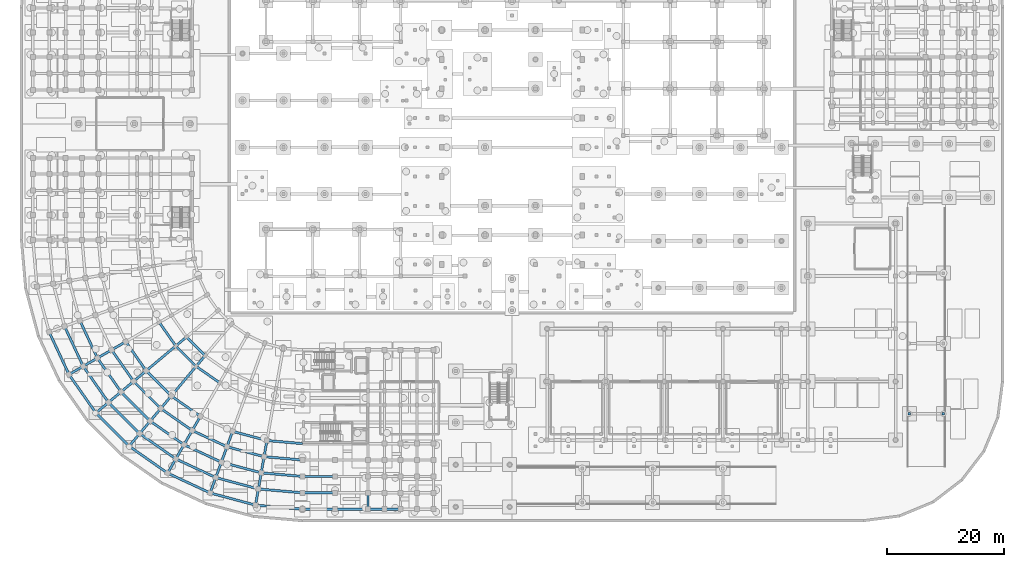
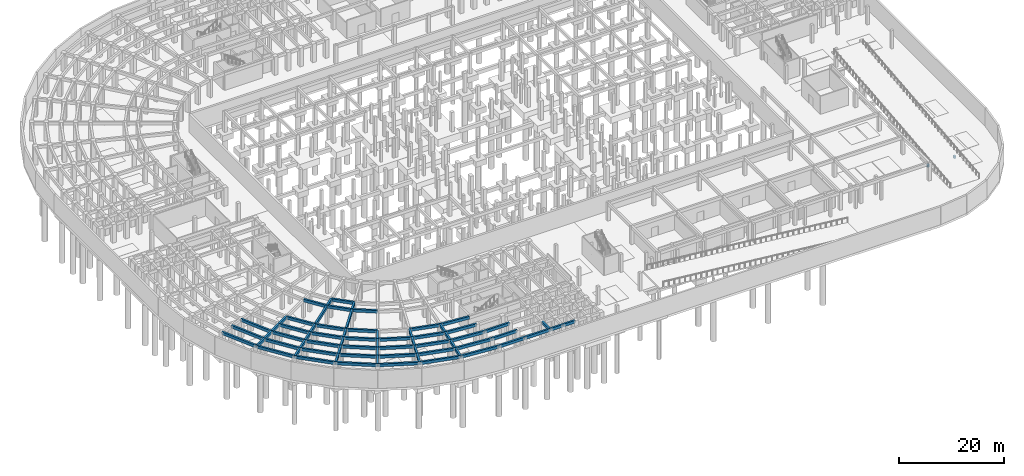
# One storey, part 18 of 53: 71 beams, 2 columns.
"""IFC4 building model written with IfcOpenShell, lengths in metres."""

import ifcopenshell
import ifcopenshell.guid

model = None  # the IFC model being written
_history = None  # IfcOwnerHistory: only IFC2X3 demands one
_inside = {}  # id of a spatial element -> (the spatial element, [elements in it])
_under = {}  # id of a project, library or spatial element -> (it, [spatial elements below it])
_declared = {}  # id of a project -> (the project, [libraries it declares])
_typed = {}  # id of a type object -> (the type object, [elements of that type])
_made_of = {}  # id of a material, layer set ... -> (it, [elements and type objects made of it])


def new_model(schema):
    """Start an empty IFC model of exactly this schema.

    Asked for "IFC4X3", IfcOpenShell would pick the latest addendum, in which some entities
    have other attributes; the version numbers below select the first issue.
    IFC2X3 requires an IfcOwnerHistory on every rooted entity: one is made here for all.
    """
    global model, _history
    if schema == "IFC4X3":
        model = ifcopenshell.file(schema_version=(4, 3, 0, 0))
    else:
        model = ifcopenshell.file(schema=schema)
    _inside.clear()
    _under.clear()
    _declared.clear()
    _typed.clear()
    _made_of.clear()
    _history = None
    if model.schema == "IFC2X3":
        org = make("IfcOrganization", Name="unknown")
        user = make(
            "IfcPersonAndOrganization",
            ThePerson=make("IfcPerson", FamilyName="unknown"),
            TheOrganization=org,
        )
        app = make(
            "IfcApplication",
            ApplicationDeveloper=org,
            Version="unknown",
            ApplicationFullName="unknown",
            ApplicationIdentifier="unknown",
        )
        _history = make(
            "IfcOwnerHistory",
            OwningUser=user,
            OwningApplication=app,
            ChangeAction="ADDED",
            CreationDate=0,
        )
    return model


def make(cls, **values):
    """One entity of the class cls with the attributes given. An attribute that is None is left unset."""
    return model.create_entity(
        cls, **{name: value for name, value in values.items() if value is not None}
    )


def rooted(cls, **values):
    """An entity with a GlobalId (a new one), such as an element, a storey or a relation."""
    return make(cls, GlobalId=ifcopenshell.guid.new(), OwnerHistory=_history, **values)


def si_unit(unit_type, name, prefix=None):
    """IfcSIUnit, for example si_unit("LENGTHUNIT", "METRE", prefix="MILLI")."""
    return make("IfcSIUnit", UnitType=unit_type, Prefix=prefix, Name=name)


def assignment(units):
    """IfcUnitAssignment: the units of a project."""
    return None if units is None else make("IfcUnitAssignment", Units=units)


def point(xyz):
    """IfcCartesianPoint."""
    return None if xyz is None else make("IfcCartesianPoint", Coordinates=xyz)


def direction(xyz):
    """IfcDirection."""
    return None if xyz is None else make("IfcDirection", DirectionRatios=xyz)


def frame(location, z_axis=None, x_axis=None):
    """IfcAxis2Placement3D, a coordinate frame: its origin and axes. An axis left out is left unset."""
    return make(
        "IfcAxis2Placement3D",
        Location=point(location),
        Axis=direction(z_axis),
        RefDirection=direction(x_axis),
    )


def frame_2d(location, x_axis=None):
    """IfcAxis2Placement2D, a coordinate frame in the plane: its origin and x axis."""
    return make(
        "IfcAxis2Placement2D", Location=point(location), RefDirection=direction(x_axis)
    )


def origin():
    """The frame at (0, 0, 0) with its axes left unset."""
    return frame((0.0, 0.0, 0.0))


def origin_2d():
    """The frame at (0, 0) in the plane with its x axis left unset."""
    return frame_2d((0.0, 0.0))


def place(relative_to, where):
    """IfcLocalPlacement: puts the frame where relative to a parent placement (None: the world)."""
    return make(
        "IfcLocalPlacement", PlacementRelTo=relative_to, RelativePlacement=where
    )


def context(
    kind, dimensions, precision=None, world=None, true_north=None, identifier=None
):
    """IfcGeometricRepresentationContext, for example the 3D "Model" context."""
    return make(
        "IfcGeometricRepresentationContext",
        ContextIdentifier=identifier,
        ContextType=kind,
        CoordinateSpaceDimension=dimensions,
        Precision=precision,
        WorldCoordinateSystem=world,
        TrueNorth=true_north,
    )


def subcontext(parent, identifier, kind, view, scale=None):
    """IfcGeometricRepresentationSubContext, for example "Body" below "Model"."""
    return make(
        "IfcGeometricRepresentationSubContext",
        ContextIdentifier=identifier,
        ContextType=kind,
        ParentContext=parent,
        TargetScale=scale,
        TargetView=view,
    )


def project(units=None, contexts=None):
    """IfcProject with its units and contexts."""
    return rooted(
        "IfcProject",
        Name="project",
        RepresentationContexts=contexts,
        UnitsInContext=assignment(units),
    )


def spatial(cls, under=None, at=None, **own):
    """A site, building, storey or space (cls), placed at a placement, below another one or the project."""
    s = rooted(cls, ObjectPlacement=at, **own)
    if under is not None:
        _under.setdefault(under.id(), (under, []))[1].append(s)
    return s


def profile(cls, at=None, kind="AREA", **sizes):
    """A parametric profile (cls). Its sizes go by their IFC names, for example OverallWidth=200.0."""
    return make(cls, ProfileType=kind, Position=at, **sizes)


def rectangle(**sizes):
    """IfcRectangleProfileDef."""
    return profile("IfcRectangleProfileDef", **sizes)


def extrude(swept, where, along, depth):
    """IfcExtrudedAreaSolid: the profile swept, set in the frame where, extruded along a direction by depth."""
    return make(
        "IfcExtrudedAreaSolid",
        SweptArea=swept,
        Position=where,
        ExtrudedDirection=direction(along),
        Depth=depth,
    )


def shape(context_of_items, identifier, shape_type, items):
    """IfcShapeRepresentation: the items that make up one representation, for example the "Body"."""
    return make(
        "IfcShapeRepresentation",
        ContextOfItems=context_of_items,
        RepresentationIdentifier=identifier,
        RepresentationType=shape_type,
        Items=items,
    )


def material(Name=None, Category=None):
    """IfcMaterial."""
    return make("IfcMaterial", Name=Name, Category=Category)


def material_profile(
    of_material, cross_section, Name=None, Category=None, Priority=None
):
    """IfcMaterialProfile: a cross section and its material."""
    return make(
        "IfcMaterialProfile",
        Name=Name,
        Material=of_material,
        Profile=cross_section,
        Priority=Priority,
        Category=Category,
    )


def profile_set(profiles, Name=None, composite=None):
    """IfcMaterialProfileSet."""
    return make(
        "IfcMaterialProfileSet",
        Name=Name,
        MaterialProfiles=profiles,
        CompositeProfile=composite,
    )


def made_of(thing, what):
    """Note that an element or type object is made of a material, layer set ...; save() writes the relation."""
    if what is not None:
        _made_of.setdefault(what.id(), (what, []))[1].append(thing)
    return thing


def type_object(cls, material=None, **own):
    """A type object (cls), such as IfcWallType, which elements share."""
    return made_of(rooted(cls, **own), material)


def element(
    cls,
    number,
    at=None,
    inside=None,
    cuts=None,
    type_object=None,
    material=None,
    context=None,
    identifier="Body",
    shape_type=None,
    held_by="IfcProductDefinitionShape",
    body=None,
    shapes=None,
    **own,
):
    """One element of the class cls, such as IfcWall. Its Tag is "e" and its number.

    at: its placement. inside: the storey or other place that contains it. cuts: it is an
    opening in that element (IfcRelVoidsElement). A single representation is given by context,
    identifier, shape_type and body (its items); several are given by shapes. held_by: the class
    of the entity that holds the representations. save() writes the other relations.
    """
    e = rooted(cls, Tag="e%d" % number, ObjectPlacement=at, **own)
    if body is not None:
        shapes = [shape(context, identifier, shape_type, body)]
    if shapes is not None:
        e.Representation = make(held_by, Representations=shapes)
    if inside is not None:
        _inside.setdefault(inside.id(), (inside, []))[1].append(e)
    if cuts is not None:
        rooted(
            "IfcRelVoidsElement", RelatingBuildingElement=cuts, RelatedOpeningElement=e
        )
    if type_object is not None:
        _typed.setdefault(type_object.id(), (type_object, []))[1].append(e)
    return made_of(e, material)


def aggregate(whole, parts):
    """IfcRelAggregates: a whole, such as a stair, and the parts it consists of."""
    return rooted("IfcRelAggregates", RelatingObject=whole, RelatedObjects=parts)


def save(model, path):
    """Write the relations noted so far, then the file.

    IfcRelAggregates (storeys below a building ...), IfcRelContainedInSpatialStructure (elements
    in a storey), IfcRelDefinesByType, IfcRelAssociatesMaterial and IfcRelDeclares: one each for
    every whole, place, type object, material and project.
    """
    for whole, parts in _under.values():
        aggregate(whole, parts)
    for where, things in _inside.values():
        rooted(
            "IfcRelContainedInSpatialStructure",
            RelatedElements=things,
            RelatingStructure=where,
        )
    for kind, things in _typed.values():
        rooted("IfcRelDefinesByType", RelatedObjects=things, RelatingType=kind)
    for what, things in _made_of.values():
        rooted("IfcRelAssociatesMaterial", RelatedObjects=things, RelatingMaterial=what)
    for by, libraries in _declared.values():
        rooted("IfcRelDeclares", RelatingContext=by, RelatedDefinitions=libraries)
    model.write(path)


model = new_model("IFC4")

# Units and contexts
model_context = context("Model", 3, precision=1e-05, world=origin(), true_north=direction((0.0, 1.0)))
body_context = subcontext(model_context, "Body", "Model", "MODEL_VIEW")
ifc_project = project(units=[si_unit("LENGTHUNIT", "METRE"), si_unit("AREAUNIT", "SQUARE_METRE"), si_unit("VOLUMEUNIT", "CUBIC_METRE"), si_unit("PLANEANGLEUNIT", "RADIAN"), si_unit("MASSUNIT", "GRAM", prefix="KILO")], contexts=[model_context])

# Site, building, storey
site_placement = place(None, origin())
site = spatial("IfcSite", under=ifc_project, at=site_placement, CompositionType="ELEMENT")
building_placement = place(site_placement, origin())
building = spatial("IfcBuilding", under=site, at=building_placement, Name="Kiranvali Square Residences", CompositionType="ELEMENT")
storey_placement = place(building_placement, frame((0.0, 0.0, -4.5)))
storey = spatial("IfcBuildingStorey", under=building, at=storey_placement, Name="B1", CompositionType="ELEMENT", Elevation=-4.5)

# Columns
ifc_material_1 = material(Name="Concrete M40 (40 MPa)", Category="concrete")
ifc_material_profile_1 = material_profile(ifc_material_1, rectangle(XDim=0.449951171875, YDim=0.449951171875, at=origin_2d()), Name="RC 450x450")
ifc_profile_set_1 = profile_set([ifc_material_profile_1], Name="Concrete M40 (40 MPa)")
column_type = type_object("IfcColumnType", Name="COL-M40-450", PredefinedType="COLUMN", material=ifc_profile_set_1)
for number, where, z_axis, x_axis, name in (
    (1, (151.85009765625, 18.5, -0.5), (0.0, 0.0, 1.0), (1.0, 0.0, 0.0), "Vehicular ramp VR-2 support column 3W"),
    (2, (157.64990234375, 18.5, -0.5), (0.0, 0.0, 1.0), (1.0, 0.0, 0.0), "Vehicular ramp VR-2 support column 3E"),
):
    element("IfcColumn", number, at=place(storey_placement, frame(where, z_axis=z_axis, x_axis=x_axis)), inside=storey, type_object=column_type, Name=name, PredefinedType="COLUMN", context=body_context, shape_type="SweptSolid", body=[
        extrude(rectangle(XDim=0.449951171875, YDim=0.449951171875, at=origin_2d()), origin(), (0.0, 0.0, 1.0), 0.570068359375),
    ])

# Beams
ifc_material_profile_2 = material_profile(ifc_material_1, rectangle(XDim=0.35009765625, YDim=0.64990234375, at=origin_2d()), Name="RC 350x650")
ifc_profile_set_2 = profile_set([ifc_material_profile_2], Name="Concrete M40 (40 MPa)")
beam_type_1 = type_object("IfcBeamType", Name="BM-M40-350x650", PredefinedType="BEAM", material=ifc_profile_set_2)
beam_1_placement = place(storey_placement, frame((59.39990234375, 5.0, 3.955078125), z_axis=(0.0, -1.0, 0.0), x_axis=(1.0, 0.0, 0.0)))
element("IfcBeam", 3, at=beam_1_placement, inside=storey, type_object=beam_type_1, Name="B1 beam BM-C-B1-A1T1-67", PredefinedType="BEAM", context=body_context, shape_type="SweptSolid", body=[
    extrude(rectangle(XDim=0.35009765625, YDim=0.64990234375, at=origin_2d()), origin(), (0.0, 0.0, 1.0), 2.800048828125),
])
ifc_material_2 = material(Name="Concrete M45 (45 MPa)", Category="concrete")
ifc_material_profile_3 = material_profile(ifc_material_2, rectangle(XDim=0.39990234375, YDim=0.64990234375, at=origin_2d()), Name="RC 400x650")
ifc_profile_set_3 = profile_set([ifc_material_profile_3], Name="Concrete M45 (45 MPa)")
beam_type_2 = type_object("IfcBeamType", Name="BM-M45-400x650", PredefinedType="BEAM", material=ifc_profile_set_3)
beam_2_placement = place(storey_placement, frame((48.199951171875, 13.39990234375, 3.955078125), z_axis=(-0.996193018494, 0.087174938512, 0.0), x_axis=(-0.087174938512, -0.996193018494, 0.0)))
element("IfcBeam", 4, at=beam_2_placement, inside=storey, type_object=beam_type_2, Name="B1 beam BM-C-B1-C00-R3", PredefinedType="BEAM", context=body_context, shape_type="SweptSolid", body=[
    extrude(rectangle(XDim=0.39990234375, YDim=0.64990234375, at=origin_2d()), origin(), (0.0, 0.0, 1.0), 6.066162109375),
])
beam_3_placement = place(storey_placement, frame((48.199951171875, 10.60009765625, 3.955078125), z_axis=(-0.996196991902, 0.0871295204, 0.0), x_axis=(-0.0871295204, -0.996196991902, 0.0)))
element("IfcBeam", 5, at=beam_3_placement, inside=storey, type_object=beam_type_2, Name="B1 beam BM-C-B1-C00-R4", PredefinedType="BEAM", context=body_context, shape_type="SweptSolid", body=[
    extrude(rectangle(XDim=0.39990234375, YDim=0.64990234375, at=origin_2d()), origin(), (0.0, 0.0, 1.0), 6.553955078125),
])
beam_4_placement = place(storey_placement, frame((48.199951171875, 7.800048828125, 3.955078125), z_axis=(-0.996194658198, 0.087156198737, 0.0), x_axis=(-0.087156198737, -0.996194658198, 0.0)))
element("IfcBeam", 6, at=beam_4_placement, inside=storey, type_object=beam_type_2, Name="B1 beam BM-C-B1-C00-R5", PredefinedType="BEAM", context=body_context, shape_type="SweptSolid", body=[
    extrude(rectangle(XDim=0.39990234375, YDim=0.64990234375, at=origin_2d()), origin(), (0.0, 0.0, 1.0), 7.042236328125),
])
beam_5_placement = place(storey_placement, frame((48.199951171875, 5.0, 3.955078125), z_axis=(-0.996195195417, 0.087150058103, 0.0), x_axis=(-0.087150058103, -0.996195195417, 0.0)))
element("IfcBeam", 7, at=beam_5_placement, inside=storey, type_object=beam_type_2, Name="B1 beam BM-C-B1-C00-R6", PredefinedType="BEAM", context=body_context, shape_type="SweptSolid", body=[
    extrude(rectangle(XDim=0.39990234375, YDim=0.64990234375, at=origin_2d()), origin(), (0.0, 0.0, 1.0), 7.530029296875),
])
beam_6_placement = place(storey_placement, frame((48.199951171875, 2.199951171875, 3.955078125), z_axis=(-0.996193254792, 0.087172238171, 0.0), x_axis=(-0.087172238171, -0.996193254792, 0.0)))
element("IfcBeam", 8, at=beam_6_placement, inside=storey, type_object=beam_type_2, Name="B1 beam BM-C-B1-C00-R7", PredefinedType="BEAM", context=body_context, shape_type="SweptSolid", body=[
    extrude(rectangle(XDim=0.39990234375, YDim=0.64990234375, at=origin_2d()), origin(), (0.0, 0.0, 1.0), 8.018310546875),
])
beam_7_placement = place(storey_placement, frame((42.156982421875, 13.9287109375, 3.955078125), z_axis=(-0.965923618901, 0.258827283048, 0.0), x_axis=(-0.258827283048, -0.965923618901, 0.0)))
element("IfcBeam", 9, at=beam_7_placement, inside=storey, type_object=beam_type_2, Name="B1 beam BM-C-B1-C01-R3", PredefinedType="BEAM", context=body_context, shape_type="SweptSolid", body=[
    extrude(rectangle(XDim=0.39990234375, YDim=0.64990234375, at=origin_2d()), origin(), (0.0, 0.0, 1.0), 6.066162109375),
])
beam_8_placement = place(storey_placement, frame((41.6708984375, 11.171142578125, 3.955078125), z_axis=(-0.965918287583, 0.258847178297, 0.0), x_axis=(-0.258847178297, -0.965918287583, 0.0)))
element("IfcBeam", 10, at=beam_8_placement, inside=storey, type_object=beam_type_2, Name="B1 beam BM-C-B1-C01-R4", PredefinedType="BEAM", context=body_context, shape_type="SweptSolid", body=[
    extrude(rectangle(XDim=0.39990234375, YDim=0.64990234375, at=origin_2d()), origin(), (0.0, 0.0, 1.0), 6.55419921875),
])
beam_9_placement = place(storey_placement, frame((41.1845703125, 8.413818359375, 3.955078125), z_axis=(-0.965931029817, 0.258799624492, 0.0), x_axis=(-0.258799624492, -0.965931029817, 0.0)))
element("IfcBeam", 11, at=beam_9_placement, inside=storey, type_object=beam_type_2, Name="B1 beam BM-C-B1-C01-R5", PredefinedType="BEAM", context=body_context, shape_type="SweptSolid", body=[
    extrude(rectangle(XDim=0.39990234375, YDim=0.64990234375, at=origin_2d()), origin(), (0.0, 0.0, 1.0), 7.042236328125),
])
beam_10_placement = place(storey_placement, frame((40.698486328125, 5.65625, 3.955078125), z_axis=(-0.965925909693, 0.258818733833, 0.0), x_axis=(-0.258818733833, -0.965925909693, 0.0)))
element("IfcBeam", 12, at=beam_10_placement, inside=storey, type_object=beam_type_2, Name="B1 beam BM-C-B1-C01-R6", PredefinedType="BEAM", context=body_context, shape_type="SweptSolid", body=[
    extrude(rectangle(XDim=0.39990234375, YDim=0.64990234375, at=origin_2d()), origin(), (0.0, 0.0, 1.0), 7.5302734375),
])
beam_11_placement = place(storey_placement, frame((40.212158203125, 2.89892578125, 3.955078125), z_axis=(-0.96592902462, 0.258807108475, 0.0), x_axis=(-0.258807108475, -0.96592902462, 0.0)))
element("IfcBeam", 13, at=beam_11_placement, inside=storey, type_object=beam_type_2, Name="B1 beam BM-C-B1-C01-R7", PredefinedType="BEAM", context=body_context, shape_type="SweptSolid", body=[
    extrude(rectangle(XDim=0.39990234375, YDim=0.64990234375, at=origin_2d()), origin(), (0.0, 0.0, 1.0), 8.018310546875),
])
beam_12_placement = place(storey_placement, frame((35.340087890625, 12.86767578125, 3.955078125), z_axis=(-0.906318225223, 0.422595876255, 0.0), x_axis=(-0.422595876255, -0.906318225223, 0.0)))
element("IfcBeam", 14, at=beam_12_placement, inside=storey, type_object=beam_type_2, Name="B1 beam BM-C-B1-C02-R4", PredefinedType="BEAM", context=body_context, shape_type="SweptSolid", body=[
    extrude(rectangle(XDim=0.39990234375, YDim=0.64990234375, at=origin_2d()), origin(), (0.0, 0.0, 1.0), 6.55419921875),
])
beam_13_placement = place(storey_placement, frame((34.38232421875, 10.236328125, 3.955078125), z_axis=(-0.906297360311, 0.422640621205, 0.0), x_axis=(-0.422640621205, -0.906297360311, 0.0)))
element("IfcBeam", 15, at=beam_13_placement, inside=storey, type_object=beam_type_2, Name="B1 beam BM-C-B1-C02-R5", PredefinedType="BEAM", context=body_context, shape_type="SweptSolid", body=[
    extrude(rectangle(XDim=0.39990234375, YDim=0.64990234375, at=origin_2d()), origin(), (0.0, 0.0, 1.0), 7.042236328125),
])
beam_14_placement = place(storey_placement, frame((33.4248046875, 7.605224609375, 3.955078125), z_axis=(-0.90630982703, 0.422613886933, 0.0), x_axis=(-0.422613886933, -0.90630982703, 0.0)))
element("IfcBeam", 16, at=beam_14_placement, inside=storey, type_object=beam_type_2, Name="B1 beam BM-C-B1-C02-R6", PredefinedType="BEAM", context=body_context, shape_type="SweptSolid", body=[
    extrude(rectangle(XDim=0.39990234375, YDim=0.64990234375, at=origin_2d()), origin(), (0.0, 0.0, 1.0), 7.5302734375),
])
beam_15_placement = place(storey_placement, frame((32.467041015625, 4.97412109375, 3.955078125), z_axis=(-0.906309113636, 0.422615416827, 0.0), x_axis=(-0.422615416827, -0.906309113636, 0.0)))
element("IfcBeam", 17, at=beam_15_placement, inside=storey, type_object=beam_type_2, Name="B1 beam BM-C-B1-C02-R7", PredefinedType="BEAM", context=body_context, shape_type="SweptSolid", body=[
    extrude(rectangle(XDim=0.39990234375, YDim=0.64990234375, at=origin_2d()), origin(), (0.0, 0.0, 1.0), 8.018310546875),
])
beam_16_placement = place(storey_placement, frame((34.10009765625, 23.778076171875, 3.955078125), z_axis=(-0.819140911474, 0.573592335331, 0.0), x_axis=(-0.573592335331, -0.819140911474, 0.0)))
element("IfcBeam", 18, at=beam_16_placement, inside=storey, type_object=beam_type_2, Name="B1 beam BM-C-B1-C03-R2", PredefinedType="BEAM", context=body_context, shape_type="SweptSolid", body=[
    extrude(rectangle(XDim=0.39990234375, YDim=0.64990234375, at=origin_2d()), origin(), (0.0, 0.0, 1.0), 4.915771484375),
])
beam_17_placement = place(storey_placement, frame((30.800048828125, 18.062255859375, 3.955078125), z_axis=(-0.81913926159, 0.573594691504, 0.0), x_axis=(-0.573594691504, -0.81913926159, 0.0)))
element("IfcBeam", 19, at=beam_17_placement, inside=storey, type_object=beam_type_2, Name="B1 beam BM-C-B1-C03-R3", PredefinedType="BEAM", context=body_context, shape_type="SweptSolid", body=[
    extrude(rectangle(XDim=0.39990234375, YDim=0.64990234375, at=origin_2d()), origin(), (0.0, 0.0, 1.0), 6.066162109375),
])
beam_18_placement = place(storey_placement, frame((29.39990234375, 15.637451171875, 3.955078125), z_axis=(-0.819144409176, 0.573587340268, 0.0), x_axis=(-0.573587340268, -0.819144409176, 0.0)))
element("IfcBeam", 20, at=beam_18_placement, inside=storey, type_object=beam_type_2, Name="B1 beam BM-C-B1-C03-R4", PredefinedType="BEAM", context=body_context, shape_type="SweptSolid", body=[
    extrude(rectangle(XDim=0.39990234375, YDim=0.64990234375, at=origin_2d()), origin(), (0.0, 0.0, 1.0), 6.553955078125),
])
beam_19_placement = place(storey_placement, frame((28.0, 13.212646484375, 3.955078125), z_axis=(-0.819160249246, 0.57356471828, 0.0), x_axis=(-0.57356471828, -0.819160249246, 0.0)))
element("IfcBeam", 21, at=beam_19_placement, inside=storey, type_object=beam_type_2, Name="B1 beam BM-C-B1-C03-R5", PredefinedType="BEAM", context=body_context, shape_type="SweptSolid", body=[
    extrude(rectangle(XDim=0.39990234375, YDim=0.64990234375, at=origin_2d()), origin(), (0.0, 0.0, 1.0), 7.0419921875),
])
beam_20_placement = place(storey_placement, frame((26.60009765625, 10.78759765625, 3.955078125), z_axis=(-0.819143569597, 0.573588539275, 0.0), x_axis=(-0.573588539275, -0.819143569597, 0.0)))
element("IfcBeam", 22, at=beam_20_placement, inside=storey, type_object=beam_type_2, Name="B1 beam BM-C-B1-C03-R6", PredefinedType="BEAM", context=body_context, shape_type="SweptSolid", body=[
    extrude(rectangle(XDim=0.39990234375, YDim=0.64990234375, at=origin_2d()), origin(), (0.0, 0.0, 1.0), 7.5302734375),
])
beam_21_placement = place(storey_placement, frame((25.199951171875, 8.36279296875, 3.955078125), z_axis=(-0.819147515001, 0.573582904791, 0.0), x_axis=(-0.573582904791, -0.819147515001, 0.0)))
element("IfcBeam", 23, at=beam_21_placement, inside=storey, type_object=beam_type_2, Name="B1 beam BM-C-B1-C03-R7", PredefinedType="BEAM", context=body_context, shape_type="SweptSolid", body=[
    extrude(rectangle(XDim=0.39990234375, YDim=0.64990234375, at=origin_2d()), origin(), (0.0, 0.0, 1.0), 8.018310546875),
])
beam_22_placement = place(storey_placement, frame((31.615966796875, 28.43603515625, 3.955078125), z_axis=(-0.707106781187, 0.707106781187, 0.0), x_axis=(-0.707106781187, -0.707106781187, 0.0)))
element("IfcBeam", 24, at=beam_22_placement, inside=storey, type_object=beam_type_2, Name="B1 beam BM-C-B1-C04-R1", PredefinedType="BEAM", context=body_context, shape_type="SweptSolid", body=[
    extrude(rectangle(XDim=0.39990234375, YDim=0.64990234375, at=origin_2d()), origin(), (0.0, 0.0, 1.0), 4.4970703125),
])
beam_23_placement = place(storey_placement, frame((30.073486328125, 26.59765625, 3.955078125), z_axis=(-0.707106781187, 0.707106781187, 0.0), x_axis=(-0.707106781187, -0.707106781187, 0.0)))
element("IfcBeam", 25, at=beam_23_placement, inside=storey, type_object=beam_type_2, Name="B1 beam BM-C-B1-C04-R2", PredefinedType="BEAM", context=body_context, shape_type="SweptSolid", body=[
    extrude(rectangle(XDim=0.39990234375, YDim=0.64990234375, at=origin_2d()), origin(), (0.0, 0.0, 1.0), 4.91552734375),
])
beam_24_placement = place(storey_placement, frame((25.8310546875, 21.541748046875, 3.955078125), z_axis=(-0.707106781187, 0.707106781187, 0.0), x_axis=(-0.707106781187, -0.707106781187, 0.0)))
element("IfcBeam", 26, at=beam_24_placement, inside=storey, type_object=beam_type_2, Name="B1 beam BM-C-B1-C04-R3", PredefinedType="BEAM", context=body_context, shape_type="SweptSolid", body=[
    extrude(rectangle(XDim=0.39990234375, YDim=0.64990234375, at=origin_2d()), origin(), (0.0, 0.0, 1.0), 6.06591796875),
])
beam_25_placement = place(storey_placement, frame((24.03125, 19.396728515625, 3.955078125), z_axis=(-0.707106781187, 0.707106781187, 0.0), x_axis=(-0.707106781187, -0.707106781187, 0.0)))
element("IfcBeam", 27, at=beam_25_placement, inside=storey, type_object=beam_type_2, Name="B1 beam BM-C-B1-C04-R4", PredefinedType="BEAM", context=body_context, shape_type="SweptSolid", body=[
    extrude(rectangle(XDim=0.39990234375, YDim=0.64990234375, at=origin_2d()), origin(), (0.0, 0.0, 1.0), 6.55419921875),
])
beam_26_placement = place(storey_placement, frame((22.2314453125, 17.251708984375, 3.955078125), z_axis=(-0.707106781187, 0.707106781187, 0.0), x_axis=(-0.707106781187, -0.707106781187, 0.0)))
element("IfcBeam", 28, at=beam_26_placement, inside=storey, type_object=beam_type_2, Name="B1 beam BM-C-B1-C04-R5", PredefinedType="BEAM", context=body_context, shape_type="SweptSolid", body=[
    extrude(rectangle(XDim=0.39990234375, YDim=0.64990234375, at=origin_2d()), origin(), (0.0, 0.0, 1.0), 7.04248046875),
])
beam_27_placement = place(storey_placement, frame((20.431640625, 15.10693359375, 3.955078125), z_axis=(-0.707106781187, 0.707106781187, 0.0), x_axis=(-0.707106781187, -0.707106781187, 0.0)))
element("IfcBeam", 29, at=beam_27_placement, inside=storey, type_object=beam_type_2, Name="B1 beam BM-C-B1-C04-R6", PredefinedType="BEAM", context=body_context, shape_type="SweptSolid", body=[
    extrude(rectangle(XDim=0.39990234375, YDim=0.64990234375, at=origin_2d()), origin(), (0.0, 0.0, 1.0), 7.5302734375),
])
beam_28_placement = place(storey_placement, frame((18.6318359375, 12.9619140625, 3.955078125), z_axis=(-0.707106781187, 0.707106781187, 0.0), x_axis=(-0.707106781187, -0.707106781187, 0.0)))
element("IfcBeam", 30, at=beam_28_placement, inside=storey, type_object=beam_type_2, Name="B1 beam BM-C-B1-C04-R7", PredefinedType="BEAM", context=body_context, shape_type="SweptSolid", body=[
    extrude(rectangle(XDim=0.39990234375, YDim=0.64990234375, at=origin_2d()), origin(), (0.0, 0.0, 1.0), 8.0185546875),
])
beam_29_placement = place(storey_placement, frame((26.59765625, 30.073486328125, 3.955078125), z_axis=(-0.573592335331, 0.819140911474, 0.0), x_axis=(-0.819140911474, -0.573592335331, 0.0)))
element("IfcBeam", 31, at=beam_29_placement, inside=storey, type_object=beam_type_2, Name="B1 beam BM-C-B1-C05-R2", PredefinedType="BEAM", context=body_context, shape_type="SweptSolid", body=[
    extrude(rectangle(XDim=0.39990234375, YDim=0.64990234375, at=origin_2d()), origin(), (0.0, 0.0, 1.0), 4.915771484375),
])
beam_30_placement = place(storey_placement, frame((21.541748046875, 25.8310546875, 3.955078125), z_axis=(-0.573594691504, 0.81913926159, 0.0), x_axis=(-0.81913926159, -0.573594691504, 0.0)))
element("IfcBeam", 32, at=beam_30_placement, inside=storey, type_object=beam_type_2, Name="B1 beam BM-C-B1-C05-R3", PredefinedType="BEAM", context=body_context, shape_type="SweptSolid", body=[
    extrude(rectangle(XDim=0.39990234375, YDim=0.64990234375, at=origin_2d()), origin(), (0.0, 0.0, 1.0), 6.066162109375),
])
beam_31_placement = place(storey_placement, frame((19.396728515625, 24.03125, 3.955078125), z_axis=(-0.573587340268, 0.819144409176, 0.0), x_axis=(-0.819144409176, -0.573587340268, 0.0)))
element("IfcBeam", 33, at=beam_31_placement, inside=storey, type_object=beam_type_2, Name="B1 beam BM-C-B1-C05-R4", PredefinedType="BEAM", context=body_context, shape_type="SweptSolid", body=[
    extrude(rectangle(XDim=0.39990234375, YDim=0.64990234375, at=origin_2d()), origin(), (0.0, 0.0, 1.0), 6.553955078125),
])
beam_32_placement = place(storey_placement, frame((17.251708984375, 22.2314453125, 3.955078125), z_axis=(-0.57356471828, 0.819160249246, 0.0), x_axis=(-0.819160249246, -0.57356471828, 0.0)))
element("IfcBeam", 34, at=beam_32_placement, inside=storey, type_object=beam_type_2, Name="B1 beam BM-C-B1-C05-R5", PredefinedType="BEAM", context=body_context, shape_type="SweptSolid", body=[
    extrude(rectangle(XDim=0.39990234375, YDim=0.64990234375, at=origin_2d()), origin(), (0.0, 0.0, 1.0), 7.0419921875),
])
beam_33_placement = place(storey_placement, frame((15.10693359375, 20.431640625, 3.955078125), z_axis=(-0.573588539275, 0.819143569597, 0.0), x_axis=(-0.819143569597, -0.573588539275, 0.0)))
element("IfcBeam", 35, at=beam_33_placement, inside=storey, type_object=beam_type_2, Name="B1 beam BM-C-B1-C05-R6", PredefinedType="BEAM", context=body_context, shape_type="SweptSolid", body=[
    extrude(rectangle(XDim=0.39990234375, YDim=0.64990234375, at=origin_2d()), origin(), (0.0, 0.0, 1.0), 7.5302734375),
])
beam_34_placement = place(storey_placement, frame((12.9619140625, 18.6318359375, 3.955078125), z_axis=(-0.573582904791, 0.819147515001, 0.0), x_axis=(-0.819147515001, -0.573582904791, 0.0)))
element("IfcBeam", 36, at=beam_34_placement, inside=storey, type_object=beam_type_2, Name="B1 beam BM-C-B1-C05-R7", PredefinedType="BEAM", context=body_context, shape_type="SweptSolid", body=[
    extrude(rectangle(XDim=0.39990234375, YDim=0.64990234375, at=origin_2d()), origin(), (0.0, 0.0, 1.0), 8.018310546875),
])
beam_35_placement = place(storey_placement, frame((13.212646484375, 28.0, 3.955078125), z_axis=(-0.422640621205, 0.906297360311, 0.0), x_axis=(-0.906297360311, -0.422640621205, 0.0)))
element("IfcBeam", 37, at=beam_35_placement, inside=storey, type_object=beam_type_2, Name="B1 beam BM-C-B1-C06-R5", PredefinedType="BEAM", context=body_context, shape_type="SweptSolid", body=[
    extrude(rectangle(XDim=0.39990234375, YDim=0.64990234375, at=origin_2d()), origin(), (0.0, 0.0, 1.0), 7.042236328125),
])
beam_36_placement = place(storey_placement, frame((10.78759765625, 26.60009765625, 3.955078125), z_axis=(-0.422613886933, 0.90630982703, 0.0), x_axis=(-0.90630982703, -0.422613886933, 0.0)))
element("IfcBeam", 38, at=beam_36_placement, inside=storey, type_object=beam_type_2, Name="B1 beam BM-C-B1-C06-R6", PredefinedType="BEAM", context=body_context, shape_type="SweptSolid", body=[
    extrude(rectangle(XDim=0.39990234375, YDim=0.64990234375, at=origin_2d()), origin(), (0.0, 0.0, 1.0), 7.5302734375),
])
beam_37_placement = place(storey_placement, frame((8.36279296875, 25.199951171875, 3.955078125), z_axis=(-0.422615416827, 0.906309113636, 0.0), x_axis=(-0.906309113636, -0.422615416827, 0.0)))
element("IfcBeam", 39, at=beam_37_placement, inside=storey, type_object=beam_type_2, Name="B1 beam BM-C-B1-C06-R7", PredefinedType="BEAM", context=body_context, shape_type="SweptSolid", body=[
    extrude(rectangle(XDim=0.39990234375, YDim=0.64990234375, at=origin_2d()), origin(), (0.0, 0.0, 1.0), 8.018310546875),
])
beam_38_placement = place(storey_placement, frame((42.156982421875, 13.9287109375, 3.955078125), z_axis=(-0.173596320392, -0.984816895441, 0.0), x_axis=(0.984816895441, -0.173596320392, 0.0)))
element("IfcBeam", 40, at=beam_38_placement, inside=storey, type_object=beam_type_2, Name="B1 beam BM-C-B1-RAD01-34", PredefinedType="BEAM", context=body_context, shape_type="SweptSolid", body=[
    extrude(rectangle(XDim=0.39990234375, YDim=0.64990234375, at=origin_2d()), origin(), (0.0, 0.0, 1.0), 2.800048828125),
])
beam_39_placement = place(storey_placement, frame((41.6708984375, 11.171142578125, 3.955078125), z_axis=(-0.173695795656, -0.984799355489, 0.0), x_axis=(0.984799355489, -0.173695795656, 0.0)))
element("IfcBeam", 41, at=beam_39_placement, inside=storey, type_object=beam_type_2, Name="B1 beam BM-C-B1-RAD01-45", PredefinedType="BEAM", context=body_context, shape_type="SweptSolid", body=[
    extrude(rectangle(XDim=0.39990234375, YDim=0.64990234375, at=origin_2d()), origin(), (0.0, 0.0, 1.0), 2.7998046875),
])
beam_40_placement = place(storey_placement, frame((41.1845703125, 8.413818359375, 3.955078125), z_axis=(-0.173596320392, -0.984816895441, 0.0), x_axis=(0.984816895441, -0.173596320392, 0.0)))
element("IfcBeam", 42, at=beam_40_placement, inside=storey, type_object=beam_type_2, Name="B1 beam BM-C-B1-RAD01-56", PredefinedType="BEAM", context=body_context, shape_type="SweptSolid", body=[
    extrude(rectangle(XDim=0.39990234375, YDim=0.64990234375, at=origin_2d()), origin(), (0.0, 0.0, 1.0), 2.800048828125),
])
for number, where, z_axis, x_axis, name in (
    (43, (40.698486328125, 5.65625, 3.955078125), (-0.173695795656, -0.984799355489, 0.0), (0.984799355489, -0.173695795656, 0.0), "B1 beam BM-C-B1-RAD01-67"),
    (44, (36.297607421875, 15.498779296875, 3.955078125), (-0.341981089711, -0.93970683422, 0.0), (0.93970683422, -0.341981089711, 0.0), "B1 beam BM-C-B1-RAD02-34"),
):
    element("IfcBeam", number, at=place(storey_placement, frame(where, z_axis=z_axis, x_axis=x_axis)), inside=storey, type_object=beam_type_2, Name=name, PredefinedType="BEAM", context=body_context, shape_type="SweptSolid", body=[
        extrude(rectangle(XDim=0.39990234375, YDim=0.64990234375, at=origin_2d()), origin(), (0.0, 0.0, 1.0), 2.7998046875),
    ])
beam_41_placement = place(storey_placement, frame((35.340087890625, 12.86767578125, 3.955078125), z_axis=(-0.342030060398, -0.939689011208, 0.0), x_axis=(0.939689011208, -0.342030060398, 0.0)))
element("IfcBeam", 45, at=beam_41_placement, inside=storey, type_object=beam_type_2, Name="B1 beam BM-C-B1-RAD02-45", PredefinedType="BEAM", context=body_context, shape_type="SweptSolid", body=[
    extrude(rectangle(XDim=0.39990234375, YDim=0.64990234375, at=origin_2d()), origin(), (0.0, 0.0, 1.0), 2.80029296875),
])
beam_42_placement = place(storey_placement, frame((34.38232421875, 10.236328125, 3.955078125), z_axis=(-0.341981089711, -0.93970683422, 0.0), x_axis=(0.93970683422, -0.341981089711, 0.0)))
element("IfcBeam", 46, at=beam_42_placement, inside=storey, type_object=beam_type_2, Name="B1 beam BM-C-B1-RAD02-56", PredefinedType="BEAM", context=body_context, shape_type="SweptSolid", body=[
    extrude(rectangle(XDim=0.39990234375, YDim=0.64990234375, at=origin_2d()), origin(), (0.0, 0.0, 1.0), 2.7998046875),
])
for number, where, z_axis, x_axis, name in (
    (47, (33.4248046875, 7.605224609375, 3.955078125), (-0.342058084236, -0.939678810556, 0.0), (0.939678810556, -0.342058084236, 0.0), "B1 beam BM-C-B1-RAD02-67"),
    (48, (30.800048828125, 18.062255859375, 3.955078125), (-0.500049511043, -0.865996816683, 0.0), (0.865996816683, -0.500049511043, 0.0), "B1 beam BM-C-B1-RAD03-34"),
):
    element("IfcBeam", number, at=place(storey_placement, frame(where, z_axis=z_axis, x_axis=x_axis)), inside=storey, type_object=beam_type_2, Name=name, PredefinedType="BEAM", context=body_context, shape_type="SweptSolid", body=[
        extrude(rectangle(XDim=0.39990234375, YDim=0.64990234375, at=origin_2d()), origin(), (0.0, 0.0, 1.0), 2.800048828125),
    ])
beam_43_placement = place(storey_placement, frame((29.39990234375, 15.637451171875, 3.955078125), z_axis=(-0.49998411664, -0.866034573852, 0.0), x_axis=(0.866034573852, -0.49998411664, 0.0)))
element("IfcBeam", 49, at=beam_43_placement, inside=storey, type_object=beam_type_2, Name="B1 beam BM-C-B1-RAD03-45", PredefinedType="BEAM", context=body_context, shape_type="SweptSolid", body=[
    extrude(rectangle(XDim=0.39990234375, YDim=0.64990234375, at=origin_2d()), origin(), (0.0, 0.0, 1.0), 2.7998046875),
])
for number, where, z_axis, x_axis, name in (
    (50, (28.0, 13.212646484375, 3.955078125), (-0.49994636267, -0.866056369097, 0.0), (0.866056369097, -0.49994636267, 0.0), "B1 beam BM-C-B1-RAD03-56"),
    (51, (26.60009765625, 10.78759765625, 3.955078125), (-0.500049511043, -0.865996816683, 0.0), (0.865996816683, -0.500049511043, 0.0), "B1 beam BM-C-B1-RAD03-67"),
):
    element("IfcBeam", number, at=place(storey_placement, frame(where, z_axis=z_axis, x_axis=x_axis)), inside=storey, type_object=beam_type_2, Name=name, PredefinedType="BEAM", context=body_context, shape_type="SweptSolid", body=[
        extrude(rectangle(XDim=0.39990234375, YDim=0.64990234375, at=origin_2d()), origin(), (0.0, 0.0, 1.0), 2.800048828125),
    ])
beam_44_placement = place(storey_placement, frame((31.615966796875, 28.43603515625, 3.955078125), z_axis=(-0.642762521781, -0.766065493671, 0.0), x_axis=(0.766065493671, -0.642762521781, 0.0)))
element("IfcBeam", 52, at=beam_44_placement, inside=storey, type_object=beam_type_2, Name="B1 beam BM-C-B1-RAD04-12", PredefinedType="BEAM", context=body_context, shape_type="SweptSolid", body=[
    extrude(rectangle(XDim=0.39990234375, YDim=0.64990234375, at=origin_2d()), origin(), (0.0, 0.0, 1.0), 2.399658203125),
])
beam_45_placement = place(storey_placement, frame((30.073486328125, 26.59765625, 3.955078125), z_axis=(-0.642789470807, -0.766042881449, 0.0), x_axis=(0.766042881449, -0.642789470807, 0.0)))
element("IfcBeam", 53, at=beam_45_placement, inside=storey, type_object=beam_type_2, Name="B1 beam BM-C-B1-RAD04-23", PredefinedType="BEAM", context=body_context, shape_type="SweptSolid", body=[
    extrude(rectangle(XDim=0.39990234375, YDim=0.64990234375, at=origin_2d()), origin(), (0.0, 0.0, 1.0), 6.60009765625),
])
for number, where, z_axis, x_axis, name in (
    (54, (25.8310546875, 21.541748046875, 3.955078125), (-0.642770757628, -0.766058583359, 0.0), (0.766058583359, -0.642770757628, 0.0), "B1 beam BM-C-B1-RAD04-34"),
    (55, (24.03125, 19.396728515625, 3.955078125), (-0.642770757628, -0.766058583359, 0.0), (0.766058583359, -0.642770757628, 0.0), "B1 beam BM-C-B1-RAD04-45"),
):
    element("IfcBeam", number, at=place(storey_placement, frame(where, z_axis=z_axis, x_axis=x_axis)), inside=storey, type_object=beam_type_2, Name=name, PredefinedType="BEAM", context=body_context, shape_type="SweptSolid", body=[
        extrude(rectangle(XDim=0.39990234375, YDim=0.64990234375, at=origin_2d()), origin(), (0.0, 0.0, 1.0), 2.800048828125),
    ])
beam_46_placement = place(storey_placement, frame((22.2314453125, 17.251708984375, 3.955078125), z_axis=(-0.642813692253, -0.76602255649, 0.0), x_axis=(0.76602255649, -0.642813692253, 0.0)))
element("IfcBeam", 56, at=beam_46_placement, inside=storey, type_object=beam_type_2, Name="B1 beam BM-C-B1-RAD04-56", PredefinedType="BEAM", context=body_context, shape_type="SweptSolid", body=[
    extrude(rectangle(XDim=0.39990234375, YDim=0.64990234375, at=origin_2d()), origin(), (0.0, 0.0, 1.0), 2.7998046875),
])
beam_47_placement = place(storey_placement, frame((20.431640625, 15.10693359375, 3.955078125), z_axis=(-0.642770757628, -0.766058583359, 0.0), x_axis=(0.766058583359, -0.642770757628, 0.0)))
element("IfcBeam", 57, at=beam_47_placement, inside=storey, type_object=beam_type_2, Name="B1 beam BM-C-B1-RAD04-67", PredefinedType="BEAM", context=body_context, shape_type="SweptSolid", body=[
    extrude(rectangle(XDim=0.39990234375, YDim=0.64990234375, at=origin_2d()), origin(), (0.0, 0.0, 1.0), 2.800048828125),
])
beam_48_placement = place(storey_placement, frame((28.43603515625, 31.615966796875, 3.955078125), z_axis=(-0.766065493671, -0.642762521781, 0.0), x_axis=(0.642762521781, -0.766065493671, 0.0)))
element("IfcBeam", 58, at=beam_48_placement, inside=storey, type_object=beam_type_2, Name="B1 beam BM-C-B1-RAD05-12", PredefinedType="BEAM", context=body_context, shape_type="SweptSolid", body=[
    extrude(rectangle(XDim=0.39990234375, YDim=0.64990234375, at=origin_2d()), origin(), (0.0, 0.0, 1.0), 2.399658203125),
])
beam_49_placement = place(storey_placement, frame((26.59765625, 30.073486328125, 3.955078125), z_axis=(-0.766042881449, -0.642789470807, 0.0), x_axis=(0.642789470807, -0.766042881449, 0.0)))
element("IfcBeam", 59, at=beam_49_placement, inside=storey, type_object=beam_type_2, Name="B1 beam BM-C-B1-RAD05-23", PredefinedType="BEAM", context=body_context, shape_type="SweptSolid", body=[
    extrude(rectangle(XDim=0.39990234375, YDim=0.64990234375, at=origin_2d()), origin(), (0.0, 0.0, 1.0), 6.60009765625),
])
for number, where, z_axis, x_axis, name in (
    (60, (21.541748046875, 25.8310546875, 3.955078125), (-0.766058583359, -0.642770757628, 0.0), (0.642770757628, -0.766058583359, 0.0), "B1 beam BM-C-B1-RAD05-34"),
    (61, (19.396728515625, 24.03125, 3.955078125), (-0.766058583359, -0.642770757628, 0.0), (0.642770757628, -0.766058583359, 0.0), "B1 beam BM-C-B1-RAD05-45"),
):
    element("IfcBeam", number, at=place(storey_placement, frame(where, z_axis=z_axis, x_axis=x_axis)), inside=storey, type_object=beam_type_2, Name=name, PredefinedType="BEAM", context=body_context, shape_type="SweptSolid", body=[
        extrude(rectangle(XDim=0.39990234375, YDim=0.64990234375, at=origin_2d()), origin(), (0.0, 0.0, 1.0), 2.800048828125),
    ])
beam_50_placement = place(storey_placement, frame((17.251708984375, 22.2314453125, 3.955078125), z_axis=(-0.76602255649, -0.642813692253, 0.0), x_axis=(0.642813692253, -0.76602255649, 0.0)))
element("IfcBeam", 62, at=beam_50_placement, inside=storey, type_object=beam_type_2, Name="B1 beam BM-C-B1-RAD05-56", PredefinedType="BEAM", context=body_context, shape_type="SweptSolid", body=[
    extrude(rectangle(XDim=0.39990234375, YDim=0.64990234375, at=origin_2d()), origin(), (0.0, 0.0, 1.0), 2.7998046875),
])
for number, where, z_axis, x_axis, name in (
    (63, (15.10693359375, 20.431640625, 3.955078125), (-0.766058583359, -0.642770757628, 0.0), (0.642770757628, -0.766058583359, 0.0), "B1 beam BM-C-B1-RAD05-67"),
    (64, (18.062255859375, 30.800048828125, 3.955078125), (-0.865996816683, -0.500049511043, 0.0), (0.500049511043, -0.865996816683, 0.0), "B1 beam BM-C-B1-RAD06-34"),
):
    element("IfcBeam", number, at=place(storey_placement, frame(where, z_axis=z_axis, x_axis=x_axis)), inside=storey, type_object=beam_type_2, Name=name, PredefinedType="BEAM", context=body_context, shape_type="SweptSolid", body=[
        extrude(rectangle(XDim=0.39990234375, YDim=0.64990234375, at=origin_2d()), origin(), (0.0, 0.0, 1.0), 2.800048828125),
    ])
beam_51_placement = place(storey_placement, frame((15.637451171875, 29.39990234375, 3.955078125), z_axis=(-0.866034573852, -0.49998411664, 0.0), x_axis=(0.49998411664, -0.866034573852, 0.0)))
element("IfcBeam", 65, at=beam_51_placement, inside=storey, type_object=beam_type_2, Name="B1 beam BM-C-B1-RAD06-45", PredefinedType="BEAM", context=body_context, shape_type="SweptSolid", body=[
    extrude(rectangle(XDim=0.39990234375, YDim=0.64990234375, at=origin_2d()), origin(), (0.0, 0.0, 1.0), 2.7998046875),
])
for number, where, z_axis, x_axis, name in (
    (66, (13.212646484375, 28.0, 3.955078125), (-0.866056369097, -0.49994636267, 0.0), (0.49994636267, -0.866056369097, 0.0), "B1 beam BM-C-B1-RAD06-56"),
    (67, (10.78759765625, 26.60009765625, 3.955078125), (-0.865996816683, -0.500049511043, 0.0), (0.500049511043, -0.865996816683, 0.0), "B1 beam BM-C-B1-RAD06-67"),
):
    element("IfcBeam", number, at=place(storey_placement, frame(where, z_axis=z_axis, x_axis=x_axis)), inside=storey, type_object=beam_type_2, Name=name, PredefinedType="BEAM", context=body_context, shape_type="SweptSolid", body=[
        extrude(rectangle(XDim=0.39990234375, YDim=0.64990234375, at=origin_2d()), origin(), (0.0, 0.0, 1.0), 2.800048828125),
    ])
for number, where, z_axis, x_axis, name in (
    (68, (48.199951171875, 7.800048828125, 3.955078125), (1.0, 0.0, 0.0), (0.0, 1.0, 0.0), "B1 beam BM-C-B1-A1U0-R5"),
    (69, (48.199951171875, 5.0, 3.955078125), (1.0, 0.0, 0.0), (0.0, 1.0, 0.0), "B1 beam BM-C-B1-A1U0-R6"),
    (70, (48.199951171875, 2.199951171875, 3.955078125), (1.0, 0.0, 0.0), (0.0, 1.0, 0.0), "B1 beam BM-C-B1-A1U0-R7"),
):
    element("IfcBeam", number, at=place(storey_placement, frame(where, z_axis=z_axis, x_axis=x_axis)), inside=storey, type_object=beam_type_2, Name=name, PredefinedType="BEAM", context=body_context, shape_type="SweptSolid", body=[
        extrude(rectangle(XDim=0.39990234375, YDim=0.64990234375, at=origin_2d()), origin(), (0.0, 0.0, 1.0), 5.60009765625),
    ])
beam_52_placement = place(storey_placement, frame((53.800048828125, 2.199951171875, 3.955078125), z_axis=(1.0, 0.0, 0.0), x_axis=(0.0, 1.0, 0.0)))
element("IfcBeam", 71, at=beam_52_placement, inside=storey, type_object=beam_type_2, Name="B1 beam BM-C-B1-A1U1-R7", PredefinedType="BEAM", context=body_context, shape_type="SweptSolid", body=[
    extrude(rectangle(XDim=0.39990234375, YDim=0.64990234375, at=origin_2d()), origin(), (0.0, 0.0, 1.0), 5.599853515625),
])
for number, where, z_axis, x_axis, name in (
    (72, (59.39990234375, 2.199951171875, 3.955078125), (1.0, 0.0, 0.0), (0.0, 1.0, 0.0), "B1 beam BM-C-B1-A1U2-R7"),
    (73, (62.199951171875, 2.199951171875, 3.955078125), (1.0, 0.0, 0.0), (0.0, 1.0, 0.0), "B1 beam BM-C-B1-A1U3-R7"),
):
    element("IfcBeam", number, at=place(storey_placement, frame(where, z_axis=z_axis, x_axis=x_axis)), inside=storey, type_object=beam_type_2, Name=name, PredefinedType="BEAM", context=body_context, shape_type="SweptSolid", body=[
        extrude(rectangle(XDim=0.39990234375, YDim=0.64990234375, at=origin_2d()), origin(), (0.0, 0.0, 1.0), 2.800048828125),
    ])

save(model, "model.ifc")
